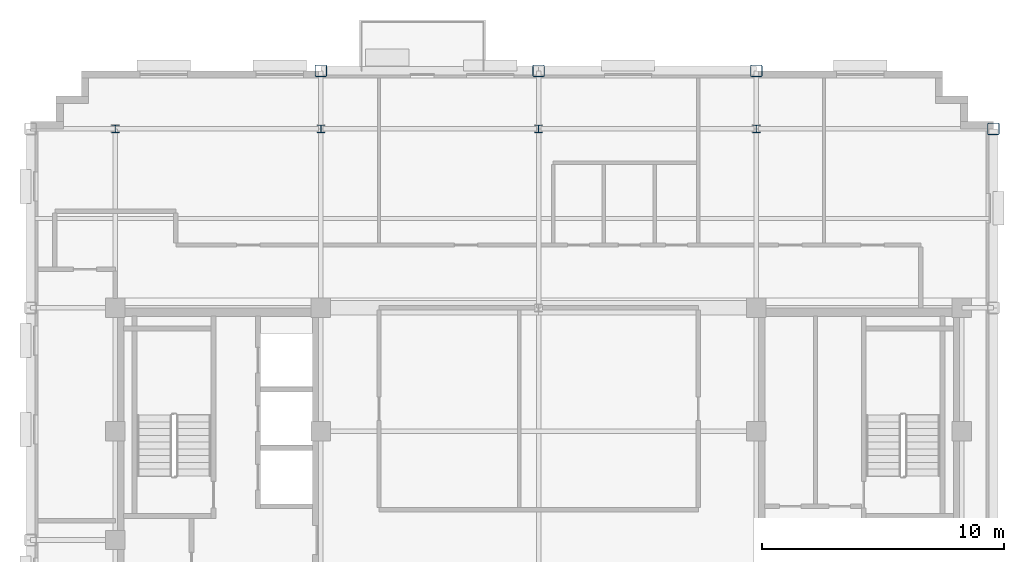
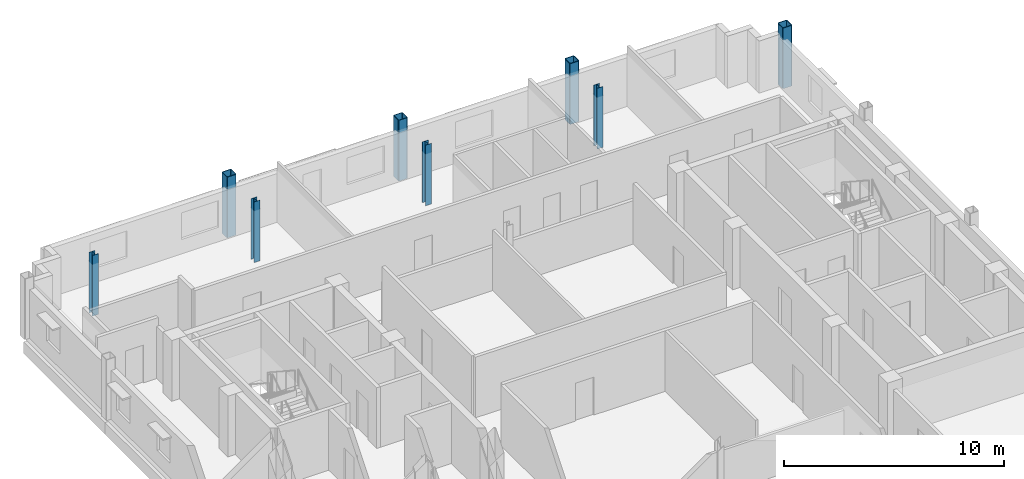
# One storey, part 3 of 13: 8 columns.
"""IFC4 building model written with IfcOpenShell, lengths in metres."""

import ifcopenshell
import ifcopenshell.guid

model = None  # the IFC model being written
_history = None  # IfcOwnerHistory: only IFC2X3 demands one
_inside = {}  # id of a spatial element -> (the spatial element, [elements in it])
_under = {}  # id of a project, library or spatial element -> (it, [spatial elements below it])
_declared = {}  # id of a project -> (the project, [libraries it declares])
_typed = {}  # id of a type object -> (the type object, [elements of that type])
_made_of = {}  # id of a material, layer set ... -> (it, [elements and type objects made of it])


def new_model(schema):
    """Start an empty IFC model of exactly this schema.

    Asked for "IFC4X3", IfcOpenShell would pick the latest addendum, in which some entities
    have other attributes; the version numbers below select the first issue.
    IFC2X3 requires an IfcOwnerHistory on every rooted entity: one is made here for all.
    """
    global model, _history
    if schema == "IFC4X3":
        model = ifcopenshell.file(schema_version=(4, 3, 0, 0))
    else:
        model = ifcopenshell.file(schema=schema)
    _inside.clear()
    _under.clear()
    _declared.clear()
    _typed.clear()
    _made_of.clear()
    _history = None
    if model.schema == "IFC2X3":
        org = make("IfcOrganization", Name="unknown")
        user = make(
            "IfcPersonAndOrganization",
            ThePerson=make("IfcPerson", FamilyName="unknown"),
            TheOrganization=org,
        )
        app = make(
            "IfcApplication",
            ApplicationDeveloper=org,
            Version="unknown",
            ApplicationFullName="unknown",
            ApplicationIdentifier="unknown",
        )
        _history = make(
            "IfcOwnerHistory",
            OwningUser=user,
            OwningApplication=app,
            ChangeAction="ADDED",
            CreationDate=0,
        )
    return model


def make(cls, **values):
    """One entity of the class cls with the attributes given. An attribute that is None is left unset."""
    return model.create_entity(
        cls, **{name: value for name, value in values.items() if value is not None}
    )


def rooted(cls, **values):
    """An entity with a GlobalId (a new one), such as an element, a storey or a relation."""
    return make(cls, GlobalId=ifcopenshell.guid.new(), OwnerHistory=_history, **values)


def si_unit(unit_type, name, prefix=None):
    """IfcSIUnit, for example si_unit("LENGTHUNIT", "METRE", prefix="MILLI")."""
    return make("IfcSIUnit", UnitType=unit_type, Prefix=prefix, Name=name)


def assignment(units):
    """IfcUnitAssignment: the units of a project."""
    return None if units is None else make("IfcUnitAssignment", Units=units)


def point(xyz):
    """IfcCartesianPoint."""
    return None if xyz is None else make("IfcCartesianPoint", Coordinates=xyz)


def direction(xyz):
    """IfcDirection."""
    return None if xyz is None else make("IfcDirection", DirectionRatios=xyz)


def frame(location, z_axis=None, x_axis=None):
    """IfcAxis2Placement3D, a coordinate frame: its origin and axes. An axis left out is left unset."""
    return make(
        "IfcAxis2Placement3D",
        Location=point(location),
        Axis=direction(z_axis),
        RefDirection=direction(x_axis),
    )


def frame_2d(location, x_axis=None):
    """IfcAxis2Placement2D, a coordinate frame in the plane: its origin and x axis."""
    return make(
        "IfcAxis2Placement2D", Location=point(location), RefDirection=direction(x_axis)
    )


def origin():
    """The frame at (0, 0, 0) with its axes left unset."""
    return frame((0.0, 0.0, 0.0))


def origin_2d():
    """The frame at (0, 0) in the plane with its x axis left unset."""
    return frame_2d((0.0, 0.0))


def place(relative_to, where):
    """IfcLocalPlacement: puts the frame where relative to a parent placement (None: the world)."""
    return make(
        "IfcLocalPlacement", PlacementRelTo=relative_to, RelativePlacement=where
    )


def context(
    kind, dimensions, precision=None, world=None, true_north=None, identifier=None
):
    """IfcGeometricRepresentationContext, for example the 3D "Model" context."""
    return make(
        "IfcGeometricRepresentationContext",
        ContextIdentifier=identifier,
        ContextType=kind,
        CoordinateSpaceDimension=dimensions,
        Precision=precision,
        WorldCoordinateSystem=world,
        TrueNorth=true_north,
    )


def subcontext(parent, identifier, kind, view, scale=None):
    """IfcGeometricRepresentationSubContext, for example "Body" below "Model"."""
    return make(
        "IfcGeometricRepresentationSubContext",
        ContextIdentifier=identifier,
        ContextType=kind,
        ParentContext=parent,
        TargetScale=scale,
        TargetView=view,
    )


def project(units=None, contexts=None):
    """IfcProject with its units and contexts."""
    return rooted(
        "IfcProject",
        Name="project",
        RepresentationContexts=contexts,
        UnitsInContext=assignment(units),
    )


def spatial(cls, under=None, at=None, **own):
    """A site, building, storey or space (cls), placed at a placement, below another one or the project."""
    s = rooted(cls, ObjectPlacement=at, **own)
    if under is not None:
        _under.setdefault(under.id(), (under, []))[1].append(s)
    return s


def profile(cls, at=None, kind="AREA", **sizes):
    """A parametric profile (cls). Its sizes go by their IFC names, for example OverallWidth=200.0."""
    return make(cls, ProfileType=kind, Position=at, **sizes)


def hollow_rectangle(**sizes):
    """IfcRectangleHollowProfileDef."""
    return profile("IfcRectangleHollowProfileDef", **sizes)


def i_section(**sizes):
    """IfcIShapeProfileDef."""
    return profile("IfcIShapeProfileDef", **sizes)


def extrude(swept, where, along, depth):
    """IfcExtrudedAreaSolid: the profile swept, set in the frame where, extruded along a direction by depth."""
    return make(
        "IfcExtrudedAreaSolid",
        SweptArea=swept,
        Position=where,
        ExtrudedDirection=direction(along),
        Depth=depth,
    )


def shape(context_of_items, identifier, shape_type, items):
    """IfcShapeRepresentation: the items that make up one representation, for example the "Body"."""
    return make(
        "IfcShapeRepresentation",
        ContextOfItems=context_of_items,
        RepresentationIdentifier=identifier,
        RepresentationType=shape_type,
        Items=items,
    )


def material(Name=None, Category=None):
    """IfcMaterial."""
    return make("IfcMaterial", Name=Name, Category=Category)


def material_profile(
    of_material, cross_section, Name=None, Category=None, Priority=None
):
    """IfcMaterialProfile: a cross section and its material."""
    return make(
        "IfcMaterialProfile",
        Name=Name,
        Material=of_material,
        Profile=cross_section,
        Priority=Priority,
        Category=Category,
    )


def profile_set(profiles, Name=None, composite=None):
    """IfcMaterialProfileSet."""
    return make(
        "IfcMaterialProfileSet",
        Name=Name,
        MaterialProfiles=profiles,
        CompositeProfile=composite,
    )


def made_of(thing, what):
    """Note that an element or type object is made of a material, layer set ...; save() writes the relation."""
    if what is not None:
        _made_of.setdefault(what.id(), (what, []))[1].append(thing)
    return thing


def type_object(cls, material=None, **own):
    """A type object (cls), such as IfcWallType, which elements share."""
    return made_of(rooted(cls, **own), material)


def element(
    cls,
    number,
    at=None,
    inside=None,
    cuts=None,
    type_object=None,
    material=None,
    context=None,
    identifier="Body",
    shape_type=None,
    held_by="IfcProductDefinitionShape",
    body=None,
    shapes=None,
    **own,
):
    """One element of the class cls, such as IfcWall. Its Tag is "e" and its number.

    at: its placement. inside: the storey or other place that contains it. cuts: it is an
    opening in that element (IfcRelVoidsElement). A single representation is given by context,
    identifier, shape_type and body (its items); several are given by shapes. held_by: the class
    of the entity that holds the representations. save() writes the other relations.
    """
    e = rooted(cls, Tag="e%d" % number, ObjectPlacement=at, **own)
    if body is not None:
        shapes = [shape(context, identifier, shape_type, body)]
    if shapes is not None:
        e.Representation = make(held_by, Representations=shapes)
    if inside is not None:
        _inside.setdefault(inside.id(), (inside, []))[1].append(e)
    if cuts is not None:
        rooted(
            "IfcRelVoidsElement", RelatingBuildingElement=cuts, RelatedOpeningElement=e
        )
    if type_object is not None:
        _typed.setdefault(type_object.id(), (type_object, []))[1].append(e)
    return made_of(e, material)


def aggregate(whole, parts):
    """IfcRelAggregates: a whole, such as a stair, and the parts it consists of."""
    return rooted("IfcRelAggregates", RelatingObject=whole, RelatedObjects=parts)


def save(model, path):
    """Write the relations noted so far, then the file.

    IfcRelAggregates (storeys below a building ...), IfcRelContainedInSpatialStructure (elements
    in a storey), IfcRelDefinesByType, IfcRelAssociatesMaterial and IfcRelDeclares: one each for
    every whole, place, type object, material and project.
    """
    for whole, parts in _under.values():
        aggregate(whole, parts)
    for where, things in _inside.values():
        rooted(
            "IfcRelContainedInSpatialStructure",
            RelatedElements=things,
            RelatingStructure=where,
        )
    for kind, things in _typed.values():
        rooted("IfcRelDefinesByType", RelatedObjects=things, RelatingType=kind)
    for what, things in _made_of.values():
        rooted("IfcRelAssociatesMaterial", RelatedObjects=things, RelatingMaterial=what)
    for by, libraries in _declared.values():
        rooted("IfcRelDeclares", RelatingContext=by, RelatedDefinitions=libraries)
    model.write(path)


model = new_model("IFC4")

# Units and contexts
model_context = context("Model", 3, precision=1e-05, world=origin(), true_north=direction((0.0, 1.0)))
body_context = subcontext(model_context, "Body", "Model", "MODEL_VIEW")
ifc_project = project(units=[si_unit("LENGTHUNIT", "METRE"), si_unit("AREAUNIT", "SQUARE_METRE"), si_unit("VOLUMEUNIT", "CUBIC_METRE"), si_unit("PLANEANGLEUNIT", "RADIAN"), si_unit("MASSUNIT", "GRAM", prefix="KILO")], contexts=[model_context])

# Site, building, storey
site_placement = place(None, origin())
site = spatial("IfcSite", under=ifc_project, at=site_placement, CompositionType="ELEMENT")
building_placement = place(site_placement, origin())
building = spatial("IfcBuilding", under=site, at=building_placement, Name="Nuvemarco Arch Tower", CompositionType="ELEMENT")
storey_placement = place(building_placement, frame((0.0, 0.0, 276.199951171875)))
storey = spatial("IfcBuildingStorey", under=building, at=storey_placement, Name="L73", CompositionType="ELEMENT", Elevation=276.199951171875)

# Columns
ifc_material = material(Name="Steel S355", Category="steel")
ifc_material_profile_1 = material_profile(ifc_material, hollow_rectangle(XDim=0.5, YDim=0.5, WallThickness=0.031982421875, InnerFilletRadius=0.031982421875, OuterFilletRadius=0.06396484375, at=origin_2d()), Name="SHS500x500x32")
ifc_profile_set_1 = profile_set([ifc_material_profile_1], Name="Steel S355")
column_type_1 = type_object("IfcColumnType", Name="COL-EXO-500", PredefinedType="COLUMN", material=ifc_profile_set_1)
for number, where, z_axis, x_axis, name in (
    (1, (18.800048828125, 17.0, 0.0), (0.0, 0.0, 1.0), (1.0, 0.0, 0.0), "L73 column CX_+18.8_+17.0"),
    (2, (-9.0, 19.39990234375, 0.0), (0.0, 0.0, 1.0), (1.0, 0.0, 0.0), "L73 column CY_-9.0_+19.4"),
    (3, (0.0, 19.39990234375, 0.0), (0.0, 0.0, 1.0), (1.0, 0.0, 0.0), "L73 column CY_+0.0_+19.4"),
    (4, (9.0, 19.39990234375, 0.0), (0.0, 0.0, 1.0), (1.0, 0.0, 0.0), "L73 column CY_+9.0_+19.4"),
):
    element("IfcColumn", number, at=place(storey_placement, frame(where, z_axis=z_axis, x_axis=x_axis)), inside=storey, type_object=column_type_1, Name=name, PredefinedType="COLUMN", context=body_context, shape_type="SweptSolid", body=[
        extrude(hollow_rectangle(XDim=0.5, YDim=0.5, WallThickness=0.031982421875, InnerFilletRadius=0.031982421875, OuterFilletRadius=0.06396484375, at=origin_2d()), origin(), (0.0, 0.0, 1.0), 3.3701171875),
    ])
ifc_material_profile_2 = material_profile(ifc_material, i_section(OverallWidth=0.31005859375, OverallDepth=0.31005859375, WebThickness=0.015380859375, FlangeThickness=0.015380859375, FilletRadius=0.014892578125, at=origin_2d()), Name="HP310x110")
ifc_profile_set_2 = profile_set([ifc_material_profile_2], Name="Steel S355")
column_type_2 = type_object("IfcColumnType", Name="COL-STL-HP310", PredefinedType="COLUMN", material=ifc_profile_set_2)
for number, where, z_axis, x_axis, name in (
    (5, (0.0, 17.0, 0.0), (0.0, 0.0, 1.0), (1.0, 0.0, 0.0), "L73 column CI_+0.0_+17.0"),
    (6, (-17.5, 17.0, 0.0), (0.0, 0.0, 1.0), (1.0, 0.0, 0.0), "L73 column CI_-17.5_+17.0"),
    (7, (-9.0, 17.0, 0.0), (0.0, 0.0, 1.0), (1.0, 0.0, 0.0), "L73 column CI_-9.0_+17.0"),
    (8, (9.0, 17.0, 0.0), (0.0, 0.0, 1.0), (1.0, 0.0, 0.0), "L73 column CI_+9.0_+17.0"),
):
    element("IfcColumn", number, at=place(storey_placement, frame(where, z_axis=z_axis, x_axis=x_axis)), inside=storey, type_object=column_type_2, Name=name, PredefinedType="COLUMN", context=body_context, shape_type="SweptSolid", body=[
        extrude(i_section(OverallWidth=0.31005859375, OverallDepth=0.31005859375, WebThickness=0.015380859375, FlangeThickness=0.015380859375, FilletRadius=0.014892578125, at=origin_2d()), origin(), (0.0, 0.0, 1.0), 3.3701171875),
    ])

save(model, "model.ifc")
